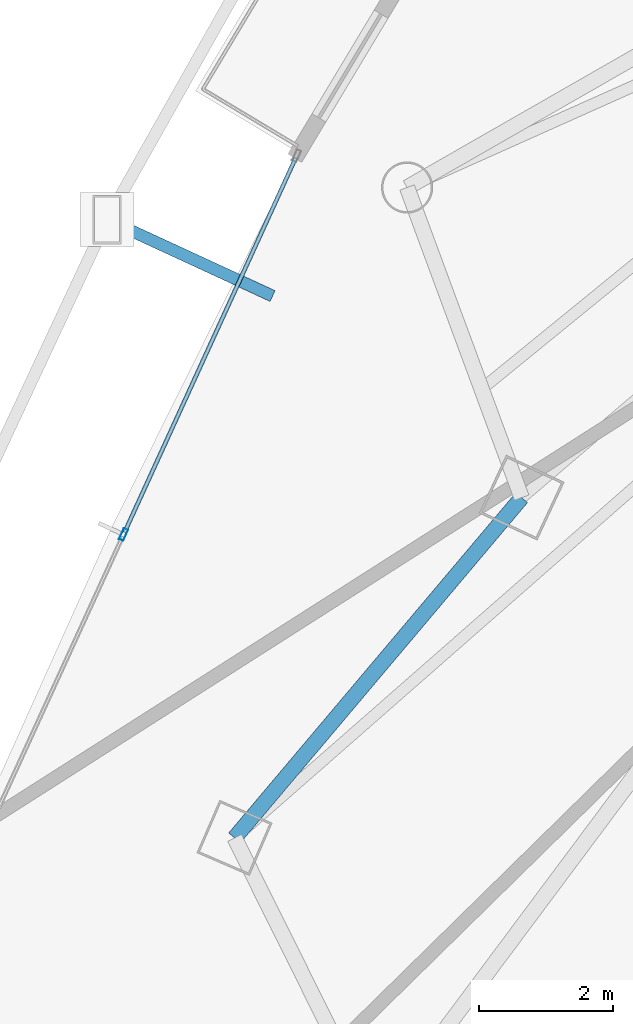
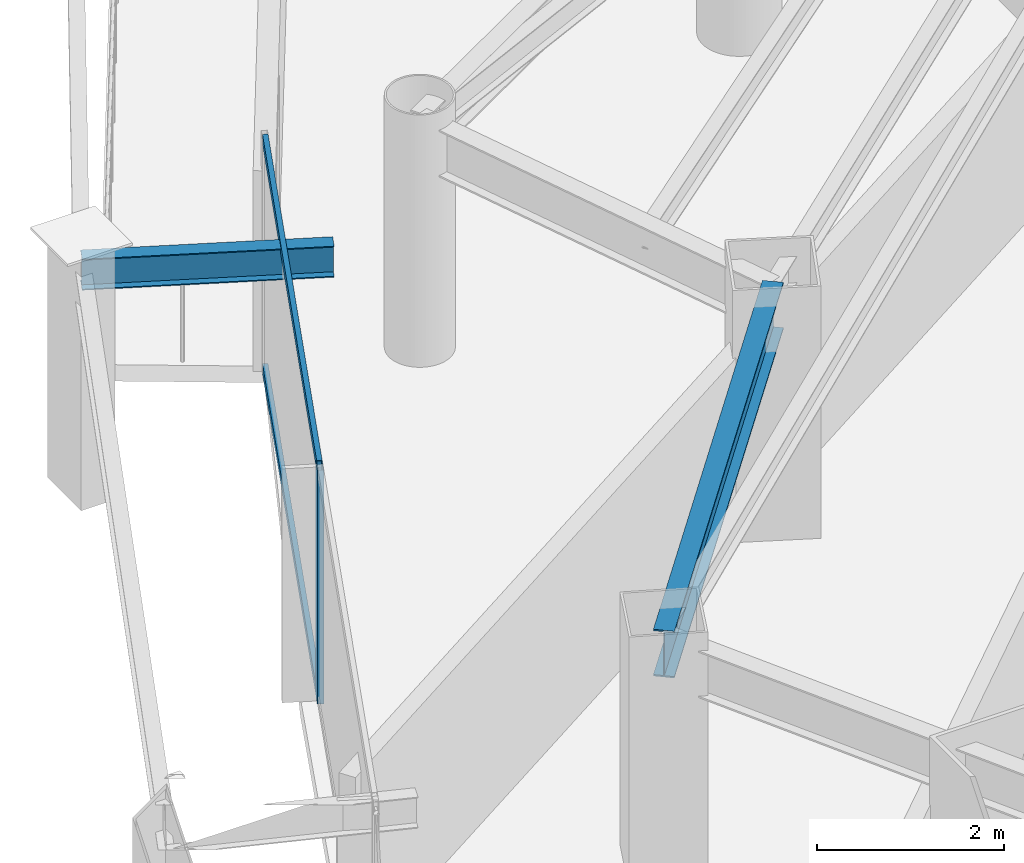
# One storey, part 8 of 33: 3 members, 2 beams, 1 element without a shape of its own.
"""IFC4 building model written with IfcOpenShell, lengths in metres."""

from ifc_helpers import new_model, si_unit, direction, frame, origin, origin_2d, place, context, subcontext, project, spatial, hollow_rectangle, i_section, extrude, material, layer, layer_set, material_profile, profile_set, type_object, element, aggregate, save


model = new_model("IFC4")

# Units and contexts
model_context = context("Model", 3, precision=1e-05, world=origin(), true_north=direction((0.0, 1.0)))
body_context = subcontext(model_context, "Body", "Model", "MODEL_VIEW")
ifc_project = project(units=[si_unit("LENGTHUNIT", "METRE"), si_unit("AREAUNIT", "SQUARE_METRE"), si_unit("VOLUMEUNIT", "CUBIC_METRE"), si_unit("PLANEANGLEUNIT", "RADIAN"), si_unit("MASSUNIT", "GRAM", prefix="KILO")], contexts=[model_context])

# Site, building, storey
site_placement = place(None, origin())
site = spatial("IfcSite", under=ifc_project, at=site_placement, CompositionType="ELEMENT")
building_placement = place(site_placement, origin())
building = spatial("IfcBuilding", under=site, at=building_placement, Name="Orvanel Arch Residences", CompositionType="ELEMENT")
storey_placement = place(building_placement, frame((0.0, 0.0, 70.85009765625)))
storey = spatial("IfcBuildingStorey", under=building, at=storey_placement, Name="L19", CompositionType="ELEMENT", Elevation=70.85009765625)

# Curtain wall, member
ifc_material_1 = material(Name="Bronze-anodised aluminium AA6063-T6", Category="aluminium")
ifc_layer = layer(ifc_material_1, 0.179931640625)
ifc_layer_set = layer_set([ifc_layer], Name="Bronze-anodised aluminium AA6063-T6")
curtain_wall_type = type_object("IfcCurtainWallType", Name="CW2-LOW-SYS", PredefinedType="NOTDEFINED", material=ifc_layer_set)
curtain_wall_placement = place(storey_placement, origin())
curtain_wall = element("IfcCurtainWall", 1, at=curtain_wall_placement, inside=storey, type_object=curtain_wall_type, Name="L19 CW2-LOW-SYS Unitised Curtain Wall", PredefinedType="NOTDEFINED")
ifc_material_profile_1 = material_profile(ifc_material_1, hollow_rectangle(XDim=0.070068359375, YDim=0.179931640625, WallThickness=0.00439453125, at=origin_2d()), Name="ALU180x70x4.5")
ifc_profile_set_1 = profile_set([ifc_material_profile_1], Name="Bronze-anodised aluminium AA6063-T6")
member_type_1 = type_object("IfcMemberType", Name="MUL-180x70", PredefinedType="MULLION", material=ifc_profile_set_1)
member_1_placement = place(storey_placement, frame((10.443603515625, 19.09375, 0.0), z_axis=(0.0, 0.0, 1.0), x_axis=(0.909506848006, -0.415688938305, 0.0)))
member_1 = element("IfcMember", 2, at=member_1_placement, type_object=member_type_1, Name="CW-S2 mullion 2", PredefinedType="MULLION", context=body_context, shape_type="SweptSolid", body=[
    extrude(hollow_rectangle(XDim=0.070068359375, YDim=0.179931640625, WallThickness=0.00439453125, at=origin_2d()), origin(), (0.0, 0.0, 1.0), 3.059814453125),
])

# Beams
ifc_material_2 = material(Name="Structural steel AS/NZS 3679.1 Grade 300 (300 MPa)", Category="steel")
ifc_material_profile_2 = material_profile(ifc_material_2, i_section(OverallWidth=0.177978515625, OverallDepth=0.406005859375, WebThickness=0.0078125, FlangeThickness=0.0126953125, at=origin_2d()), Name="410UB59.7")
ifc_profile_set_2 = profile_set([ifc_material_profile_2], Name="Structural steel AS/NZS 3679.1 Grade 300 (300 MPa)")
beam_type_1 = type_object("IfcBeamType", Name="OB-410UB-EXT", PredefinedType="SPANDREL", material=ifc_profile_set_2)
beam_1_placement = place(storey_placement, frame((12.660888671875, 22.64111328125, 2.85693359375), z_axis=(-0.907724760779, 0.419566155295, 0.0), x_axis=(-0.419566155295, -0.907724760779, 0.0)))
element("IfcBeam", 3, at=beam_1_placement, inside=storey, type_object=beam_type_1, Name="L19 Outer Frame Radial Tie Beam 03", PredefinedType="SPANDREL", context=body_context, shape_type="SweptSolid", body=[
    extrude(i_section(OverallWidth=0.177978515625, OverallDepth=0.406005859375, WebThickness=0.0078125, FlangeThickness=0.0126953125, at=origin_2d()), origin(), (0.0, 0.0, 1.0), 2.712158203125),
])
ifc_material_profile_3 = material_profile(ifc_material_2, i_section(OverallWidth=0.22900390625, OverallDepth=0.612060546875, WebThickness=0.011962890625, FlangeThickness=0.01953125, at=origin_2d()), Name="610UB125")
ifc_profile_set_3 = profile_set([ifc_material_profile_3], Name="Structural steel AS/NZS 3679.1 Grade 300 (300 MPa)")
beam_type_2 = type_object("IfcBeamType", Name="SP-610UB", PredefinedType="SPANDREL", material=ifc_profile_set_3)
beam_2_placement = place(storey_placement, frame((16.366943359375, 19.64208984375, 2.75390625), z_axis=(-0.644950329775, -0.764224490659, 0.0), x_axis=(0.764224490659, -0.644950329775, 0.0)))
element("IfcBeam", 4, at=beam_2_placement, inside=storey, type_object=beam_type_2, Name="L19 Perimeter Spandrel Beam 01", PredefinedType="SPANDREL", context=body_context, shape_type="SweptSolid", body=[
    extrude(i_section(OverallWidth=0.22900390625, OverallDepth=0.612060546875, WebThickness=0.011962890625, FlangeThickness=0.01953125, at=origin_2d()), origin(), (0.0, 0.0, 1.0), 6.623779296875),
])

# Member
ifc_material_profile_4 = material_profile(ifc_material_1, hollow_rectangle(XDim=0.06005859375, YDim=0.135009765625, WallThickness=0.00390625, at=origin_2d()), Name="ALU135x60x4")
ifc_profile_set_4 = profile_set([ifc_material_profile_4], Name="Bronze-anodised aluminium AA6063-T6")
member_type_2 = type_object("IfcMemberType", Name="TRN-135x60", PredefinedType="USERDEFINED", material=ifc_profile_set_4)
member_2_placement = place(storey_placement, frame((13.00390625, 24.6953125, 0.02978515625), z_axis=(-0.415685329324, -0.909508497478, 0.0), x_axis=(0.909508497478, -0.415685329324, 0.0)))
member_2 = element("IfcMember", 5, at=member_2_placement, type_object=member_type_2, Name="CW-S2 transom 1.1", ObjectType="TRANSOM", PredefinedType="USERDEFINED", context=body_context, shape_type="SweptSolid", body=[
    extrude(hollow_rectangle(XDim=0.06005859375, YDim=0.135009765625, WallThickness=0.00390625, at=origin_2d()), origin(), (0.0, 0.0, 1.0), 6.1240234375),
])

member_3_placement = place(storey_placement, frame((13.00390625, 24.6953125, 3.02978515625), z_axis=(-0.415685329324, -0.909508497478, 0.0), x_axis=(0.909508497478, -0.415685329324, 0.0)))
member_3 = element("IfcMember", 6, at=member_3_placement, type_object=member_type_2, Name="CW-S2 transom 1.2", ObjectType="TRANSOM", PredefinedType="USERDEFINED", context=body_context, shape_type="SweptSolid", body=[
    extrude(hollow_rectangle(XDim=0.06005859375, YDim=0.135009765625, WallThickness=0.00390625, at=origin_2d()), origin(), (0.0, 0.0, 1.0), 6.1240234375),
])

aggregate(curtain_wall, [member_1, member_2, member_3])

save(model, "model.ifc")
